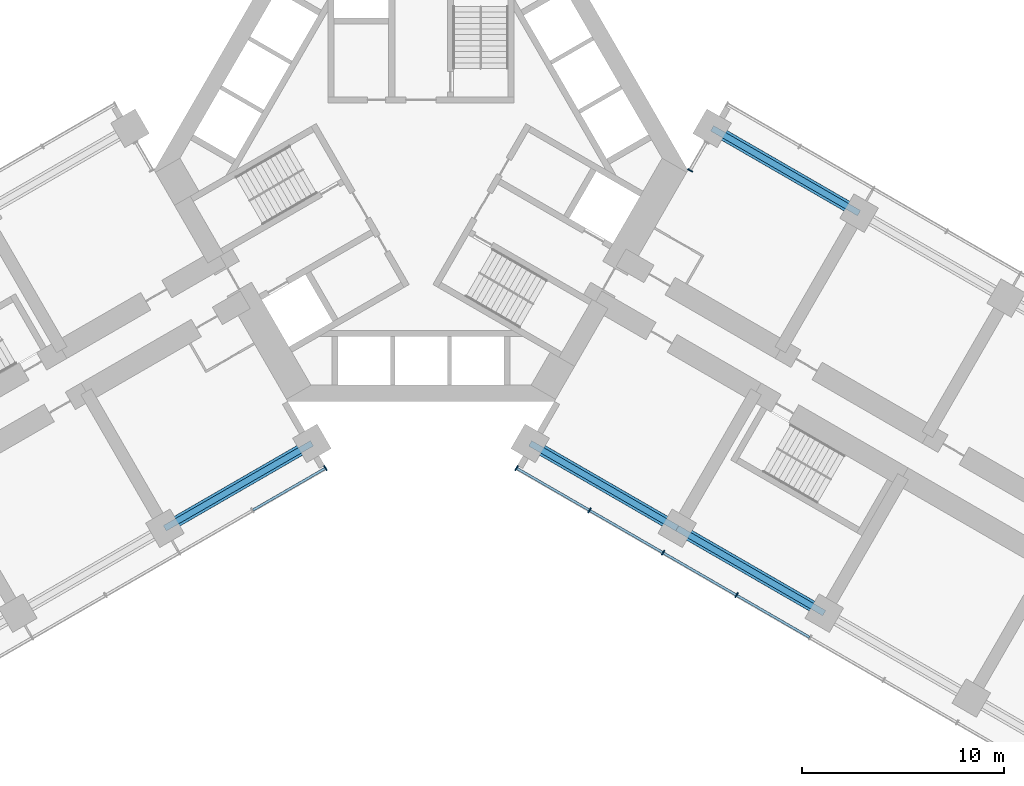
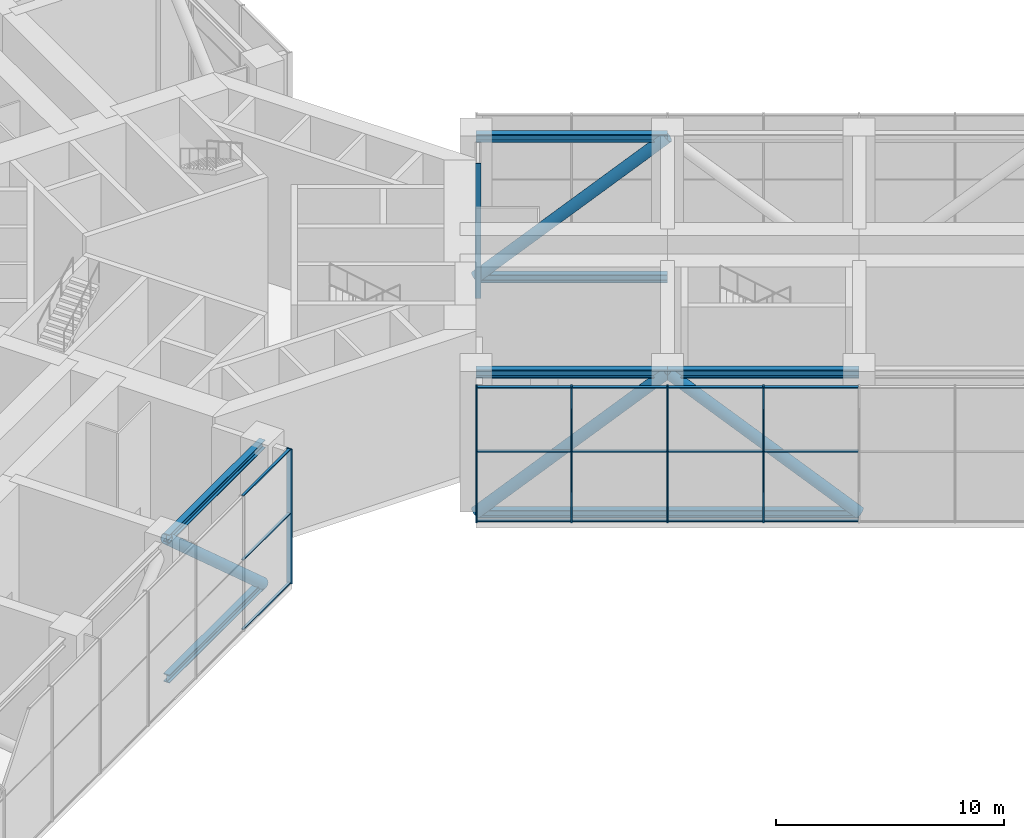
# One storey, part 4 of 19: 33 members, 3 elements without a shape of their own.
"""IFC4 building model written with IfcOpenShell, lengths in metres."""

import ifcopenshell
import ifcopenshell.guid

model = None  # the IFC model being written
_history = None  # IfcOwnerHistory: only IFC2X3 demands one
_inside = {}  # id of a spatial element -> (the spatial element, [elements in it])
_under = {}  # id of a project, library or spatial element -> (it, [spatial elements below it])
_declared = {}  # id of a project -> (the project, [libraries it declares])
_typed = {}  # id of a type object -> (the type object, [elements of that type])
_made_of = {}  # id of a material, layer set ... -> (it, [elements and type objects made of it])


def new_model(schema):
    """Start an empty IFC model of exactly this schema.

    Asked for "IFC4X3", IfcOpenShell would pick the latest addendum, in which some entities
    have other attributes; the version numbers below select the first issue.
    IFC2X3 requires an IfcOwnerHistory on every rooted entity: one is made here for all.
    """
    global model, _history
    if schema == "IFC4X3":
        model = ifcopenshell.file(schema_version=(4, 3, 0, 0))
    else:
        model = ifcopenshell.file(schema=schema)
    _inside.clear()
    _under.clear()
    _declared.clear()
    _typed.clear()
    _made_of.clear()
    _history = None
    if model.schema == "IFC2X3":
        org = make("IfcOrganization", Name="unknown")
        user = make(
            "IfcPersonAndOrganization",
            ThePerson=make("IfcPerson", FamilyName="unknown"),
            TheOrganization=org,
        )
        app = make(
            "IfcApplication",
            ApplicationDeveloper=org,
            Version="unknown",
            ApplicationFullName="unknown",
            ApplicationIdentifier="unknown",
        )
        _history = make(
            "IfcOwnerHistory",
            OwningUser=user,
            OwningApplication=app,
            ChangeAction="ADDED",
            CreationDate=0,
        )
    return model


def make(cls, **values):
    """One entity of the class cls with the attributes given. An attribute that is None is left unset."""
    return model.create_entity(
        cls, **{name: value for name, value in values.items() if value is not None}
    )


def rooted(cls, **values):
    """An entity with a GlobalId (a new one), such as an element, a storey or a relation."""
    return make(cls, GlobalId=ifcopenshell.guid.new(), OwnerHistory=_history, **values)


def si_unit(unit_type, name, prefix=None):
    """IfcSIUnit, for example si_unit("LENGTHUNIT", "METRE", prefix="MILLI")."""
    return make("IfcSIUnit", UnitType=unit_type, Prefix=prefix, Name=name)


def assignment(units):
    """IfcUnitAssignment: the units of a project."""
    return None if units is None else make("IfcUnitAssignment", Units=units)


def point(xyz):
    """IfcCartesianPoint."""
    return None if xyz is None else make("IfcCartesianPoint", Coordinates=xyz)


def direction(xyz):
    """IfcDirection."""
    return None if xyz is None else make("IfcDirection", DirectionRatios=xyz)


def frame(location, z_axis=None, x_axis=None):
    """IfcAxis2Placement3D, a coordinate frame: its origin and axes. An axis left out is left unset."""
    return make(
        "IfcAxis2Placement3D",
        Location=point(location),
        Axis=direction(z_axis),
        RefDirection=direction(x_axis),
    )


def frame_2d(location, x_axis=None):
    """IfcAxis2Placement2D, a coordinate frame in the plane: its origin and x axis."""
    return make(
        "IfcAxis2Placement2D", Location=point(location), RefDirection=direction(x_axis)
    )


def origin():
    """The frame at (0, 0, 0) with its axes left unset."""
    return frame((0.0, 0.0, 0.0))


def origin_2d():
    """The frame at (0, 0) in the plane with its x axis left unset."""
    return frame_2d((0.0, 0.0))


def place(relative_to, where):
    """IfcLocalPlacement: puts the frame where relative to a parent placement (None: the world)."""
    return make(
        "IfcLocalPlacement", PlacementRelTo=relative_to, RelativePlacement=where
    )


def context(
    kind, dimensions, precision=None, world=None, true_north=None, identifier=None
):
    """IfcGeometricRepresentationContext, for example the 3D "Model" context."""
    return make(
        "IfcGeometricRepresentationContext",
        ContextIdentifier=identifier,
        ContextType=kind,
        CoordinateSpaceDimension=dimensions,
        Precision=precision,
        WorldCoordinateSystem=world,
        TrueNorth=true_north,
    )


def subcontext(parent, identifier, kind, view, scale=None):
    """IfcGeometricRepresentationSubContext, for example "Body" below "Model"."""
    return make(
        "IfcGeometricRepresentationSubContext",
        ContextIdentifier=identifier,
        ContextType=kind,
        ParentContext=parent,
        TargetScale=scale,
        TargetView=view,
    )


def project(units=None, contexts=None):
    """IfcProject with its units and contexts."""
    return rooted(
        "IfcProject",
        Name="project",
        RepresentationContexts=contexts,
        UnitsInContext=assignment(units),
    )


def spatial(cls, under=None, at=None, **own):
    """A site, building, storey or space (cls), placed at a placement, below another one or the project."""
    s = rooted(cls, ObjectPlacement=at, **own)
    if under is not None:
        _under.setdefault(under.id(), (under, []))[1].append(s)
    return s


def profile(cls, at=None, kind="AREA", **sizes):
    """A parametric profile (cls). Its sizes go by their IFC names, for example OverallWidth=200.0."""
    return make(cls, ProfileType=kind, Position=at, **sizes)


def rectangle(**sizes):
    """IfcRectangleProfileDef."""
    return profile("IfcRectangleProfileDef", **sizes)


def hollow_circle(**sizes):
    """IfcCircleHollowProfileDef."""
    return profile("IfcCircleHollowProfileDef", **sizes)


def i_section(**sizes):
    """IfcIShapeProfileDef."""
    return profile("IfcIShapeProfileDef", **sizes)


def extrude(swept, where, along, depth):
    """IfcExtrudedAreaSolid: the profile swept, set in the frame where, extruded along a direction by depth."""
    return make(
        "IfcExtrudedAreaSolid",
        SweptArea=swept,
        Position=where,
        ExtrudedDirection=direction(along),
        Depth=depth,
    )


def shape(context_of_items, identifier, shape_type, items):
    """IfcShapeRepresentation: the items that make up one representation, for example the "Body"."""
    return make(
        "IfcShapeRepresentation",
        ContextOfItems=context_of_items,
        RepresentationIdentifier=identifier,
        RepresentationType=shape_type,
        Items=items,
    )


def material(Name=None, Category=None):
    """IfcMaterial."""
    return make("IfcMaterial", Name=Name, Category=Category)


def material_profile(
    of_material, cross_section, Name=None, Category=None, Priority=None
):
    """IfcMaterialProfile: a cross section and its material."""
    return make(
        "IfcMaterialProfile",
        Name=Name,
        Material=of_material,
        Profile=cross_section,
        Priority=Priority,
        Category=Category,
    )


def profile_set(profiles, Name=None, composite=None):
    """IfcMaterialProfileSet."""
    return make(
        "IfcMaterialProfileSet",
        Name=Name,
        MaterialProfiles=profiles,
        CompositeProfile=composite,
    )


def made_of(thing, what):
    """Note that an element or type object is made of a material, layer set ...; save() writes the relation."""
    if what is not None:
        _made_of.setdefault(what.id(), (what, []))[1].append(thing)
    return thing


def type_object(cls, material=None, **own):
    """A type object (cls), such as IfcWallType, which elements share."""
    return made_of(rooted(cls, **own), material)


def element(
    cls,
    number,
    at=None,
    inside=None,
    cuts=None,
    type_object=None,
    material=None,
    context=None,
    identifier="Body",
    shape_type=None,
    held_by="IfcProductDefinitionShape",
    body=None,
    shapes=None,
    **own,
):
    """One element of the class cls, such as IfcWall. Its Tag is "e" and its number.

    at: its placement. inside: the storey or other place that contains it. cuts: it is an
    opening in that element (IfcRelVoidsElement). A single representation is given by context,
    identifier, shape_type and body (its items); several are given by shapes. held_by: the class
    of the entity that holds the representations. save() writes the other relations.
    """
    e = rooted(cls, Tag="e%d" % number, ObjectPlacement=at, **own)
    if body is not None:
        shapes = [shape(context, identifier, shape_type, body)]
    if shapes is not None:
        e.Representation = make(held_by, Representations=shapes)
    if inside is not None:
        _inside.setdefault(inside.id(), (inside, []))[1].append(e)
    if cuts is not None:
        rooted(
            "IfcRelVoidsElement", RelatingBuildingElement=cuts, RelatedOpeningElement=e
        )
    if type_object is not None:
        _typed.setdefault(type_object.id(), (type_object, []))[1].append(e)
    return made_of(e, material)


def aggregate(whole, parts):
    """IfcRelAggregates: a whole, such as a stair, and the parts it consists of."""
    return rooted("IfcRelAggregates", RelatingObject=whole, RelatedObjects=parts)


def save(model, path):
    """Write the relations noted so far, then the file.

    IfcRelAggregates (storeys below a building ...), IfcRelContainedInSpatialStructure (elements
    in a storey), IfcRelDefinesByType, IfcRelAssociatesMaterial and IfcRelDeclares: one each for
    every whole, place, type object, material and project.
    """
    for whole, parts in _under.values():
        aggregate(whole, parts)
    for where, things in _inside.values():
        rooted(
            "IfcRelContainedInSpatialStructure",
            RelatedElements=things,
            RelatingStructure=where,
        )
    for kind, things in _typed.values():
        rooted("IfcRelDefinesByType", RelatedObjects=things, RelatingType=kind)
    for what, things in _made_of.values():
        rooted("IfcRelAssociatesMaterial", RelatedObjects=things, RelatingMaterial=what)
    for by, libraries in _declared.values():
        rooted("IfcRelDeclares", RelatingContext=by, RelatedDefinitions=libraries)
    model.write(path)


model = new_model("IFC4")

# Units and contexts
model_context = context("Model", 3, precision=1e-05, world=origin(), true_north=direction((0.0, 1.0)))
body_context = subcontext(model_context, "Body", "Model", "MODEL_VIEW")
ifc_project = project(units=[si_unit("LENGTHUNIT", "METRE"), si_unit("AREAUNIT", "SQUARE_METRE"), si_unit("VOLUMEUNIT", "CUBIC_METRE"), si_unit("PLANEANGLEUNIT", "RADIAN"), si_unit("MASSUNIT", "GRAM", prefix="KILO")], contexts=[model_context])

# Site, building, storey
site_placement = place(None, origin())
site = spatial("IfcSite", under=ifc_project, at=site_placement, CompositionType="ELEMENT")
building_placement = place(site_placement, origin())
building = spatial("IfcBuilding", under=site, at=building_placement, Name="Impinga Residences", CompositionType="ELEMENT")
storey_placement = place(building_placement, frame((0.0, 0.0, 93.5)))
storey = spatial("IfcBuildingStorey", under=building, at=storey_placement, Name="L23", CompositionType="ELEMENT", Elevation=93.5)

# Members
ifc_material_1 = material(Name="Steel S355", Category="steel")
ifc_material_profile_1 = material_profile(ifc_material_1, i_section(OverallWidth=0.306884765625, OverallDepth=0.431884765625, WebThickness=0.02099609375, FlangeThickness=0.0400390625, FilletRadius=0.027099609375, at=origin_2d()), Name="HE 400 M")
ifc_profile_set_1 = profile_set([ifc_material_profile_1], Name="Steel S355")
member_type_1 = type_object("IfcMemberType", Name="BT1 HE 400 M belt truss chord", PredefinedType="CHORD", material=ifc_profile_set_1)
for number, where, z_axis, x_axis, name in (
    (1, (-5.39990234375, -13.510009765625, -0.51611328125), (-0.86602925447, -0.499993330357, 0.0), (0.499993330357, -0.86602925447, 0.0), "Belt truss chord BT1 WA W1-W2 L23"),
    (2, (-5.39990234375, -13.510009765625, 6.98388671875), (-0.86602925447, -0.499993330357, 0.0), (0.499993330357, -0.86602925447, 0.0), "Belt truss chord BT1 WA W1-W2 L23"),
    (3, (14.39990234375, 2.078369140625, -0.51611328125), (0.86602925447, -0.499993330357, 0.0), (0.499993330357, 0.86602925447, 0.0), "Belt truss chord BT1 EA E1-E2 L23"),
    (4, (14.39990234375, 2.078369140625, 6.98388671875), (0.86602925447, -0.499993330357, 0.0), (0.499993330357, 0.86602925447, 0.0), "Belt truss chord BT1 EA E1-E2 L23"),
    (5, (5.39990234375, -13.510009765625, -0.51611328125), (0.86602925447, -0.499993330357, 0.0), (0.499993330357, 0.86602925447, 0.0), "Belt truss chord BT1 EF E1-E2 L23"),
    (6, (5.39990234375, -13.510009765625, 6.98388671875), (0.86602925447, -0.499993330357, 0.0), (0.499993330357, 0.86602925447, 0.0), "Belt truss chord BT1 EF E1-E2 L23"),
    (7, (12.674560546875, -17.7099609375, -0.51611328125), (0.86602925447, -0.499993330357, 0.0), (0.499993330357, 0.86602925447, 0.0), "Belt truss chord BT1 EF E2-E3 L23"),
    (8, (12.674560546875, -17.7099609375, 6.98388671875), (0.86602925447, -0.499993330357, 0.0), (0.499993330357, 0.86602925447, 0.0), "Belt truss chord BT1 EF E2-E3 L23"),
):
    element("IfcMember", number, at=place(storey_placement, frame(where, z_axis=z_axis, x_axis=x_axis)), inside=storey, type_object=member_type_1, Name=name, PredefinedType="CHORD", context=body_context, shape_type="SweptSolid", body=[
        extrude(i_section(OverallWidth=0.306884765625, OverallDepth=0.431884765625, WebThickness=0.02099609375, FlangeThickness=0.0400390625, FilletRadius=0.027099609375, at=origin_2d()), origin(), (0.0, 0.0, 1.0), 8.39990234375),
    ])
ifc_material_2 = material(Name="Steel S355J2H", Category="steel")
ifc_material_profile_2 = material_profile(ifc_material_2, hollow_circle(Radius=0.279541015625, WallThickness=0.02001953125, at=origin_2d()), Name="CHS 559x20")
ifc_profile_set_2 = profile_set([ifc_material_profile_2], Name="Steel S355J2H")
member_type_2 = type_object("IfcMemberType", Name="BT2 CHS 559x20 belt truss diagonal at L23", PredefinedType="BRACE", material=ifc_profile_set_2)
for number, where, z_axis, x_axis, name in (
    (9, (-5.39990234375, -13.510009765625, -0.51611328125), (-0.646004328005, -0.372964139164, 0.666015134285), (0.499993330357, -0.86602925447, 0.0), "Belt truss diagonal BT2 WA W1-W2 L23"),
    (10, (14.39990234375, 2.078369140625, -0.51611328125), (0.646004328005, -0.372964139164, 0.666015134285), (0.499993330357, 0.86602925447, 0.0), "Belt truss diagonal BT2 EA E1-E2 L23"),
    (11, (5.39990234375, -13.510009765625, -0.51611328125), (0.646004328005, -0.372964139164, 0.666015134285), (0.499993330357, 0.86602925447, 0.0), "Belt truss diagonal BT2 EF E1-E2 L23"),
    (12, (12.674560546875, -17.7099609375, 6.98388671875), (0.646004328005, -0.372964139164, -0.666015134285), (0.499993330357, 0.86602925447, 0.0), "Belt truss diagonal BT2 EF E2-E3 L23"),
):
    element("IfcMember", number, at=place(storey_placement, frame(where, z_axis=z_axis, x_axis=x_axis)), inside=storey, type_object=member_type_2, Name=name, PredefinedType="BRACE", context=body_context, shape_type="SweptSolid", body=[
        extrude(hollow_circle(Radius=0.279541015625, WallThickness=0.02001953125, at=origin_2d()), origin(), (0.0, 0.0, 1.0), 11.260986328125),
    ])

# Curtain wall, member
ifc_material_3 = material(Name="Aluminium stick curtain wall", Category="aluminium")
curtain_wall_type = type_object("IfcCurtainWallType", Name="CW4 plant floor louvred curtain wall", PredefinedType="USERDEFINED", material=ifc_material_3)
curtain_wall_1_placement = place(storey_placement, origin())
curtain_wall_1 = element("IfcCurtainWall", 13, at=curtain_wall_1_placement, inside=storey, type_object=curtain_wall_type, Name="Curtain wall CW4 L23", ObjectType="STICK CURTAIN WALL", PredefinedType="USERDEFINED")
ifc_material_4 = material(Name="Aluminium mullion", Category="aluminium")
ifc_material_profile_3 = material_profile(ifc_material_4, rectangle(XDim=0.06005859375, YDim=0.27490234375, at=origin_2d()), Name="60x275 mullion")
ifc_profile_set_3 = profile_set([ifc_material_profile_3], Name="Aluminium mullion")
member_type_3 = type_object("IfcMemberType", Name="CW4-M mullion 60x275", PredefinedType="MULLION", material=ifc_profile_set_3)
member_1_placement = place(storey_placement, frame((13.314208984375, -0.002197265625, 0.0), z_axis=(0.0, 0.0, 1.0), x_axis=(0.500000069952, 0.866025363398, 0.0)))
member_1 = element("IfcMember", 14, at=member_1_placement, type_object=member_type_3, Name="CW4 mullion 1", PredefinedType="MULLION", context=body_context, shape_type="SweptSolid", body=[
    extrude(rectangle(XDim=0.06005859375, YDim=0.27490234375, at=origin_2d()), origin(), (0.0, 0.0, 1.0), 7.199951171875),
])
aggregate(curtain_wall_1, [member_1])

# Curtain wall, members
curtain_wall_2_placement = place(storey_placement, origin())
curtain_wall_2 = element("IfcCurtainWall", 15, at=curtain_wall_2_placement, inside=storey, type_object=curtain_wall_type, Name="Curtain wall CW4 L23", ObjectType="STICK CURTAIN WALL", PredefinedType="USERDEFINED")
member_2_placement = place(storey_placement, frame((15.61181640625, -21.0224609375, 0.0), z_axis=(0.0, 0.0, 1.0), x_axis=(-0.866025407005, 0.499999994423, 0.0)))
member_2 = element("IfcMember", 16, at=member_2_placement, type_object=member_type_3, Name="CW4 mullion 6", PredefinedType="MULLION", context=body_context, shape_type="SweptSolid", body=[
    extrude(rectangle(XDim=0.06005859375, YDim=0.27490234375, at=origin_2d()), origin(), (0.0, 0.0, 1.0), 7.199951171875),
])
member_3_placement = place(storey_placement, frame((11.974609375, -18.92236328125, 0.0), z_axis=(0.0, 0.0, 1.0), x_axis=(-0.866025407005, 0.499999994423, 0.0)))
member_3 = element("IfcMember", 17, at=member_3_placement, type_object=member_type_3, Name="CW4 mullion 7", PredefinedType="MULLION", context=body_context, shape_type="SweptSolid", body=[
    extrude(rectangle(XDim=0.06005859375, YDim=0.27490234375, at=origin_2d()), origin(), (0.0, 0.0, 1.0), 7.199951171875),
])
member_4_placement = place(storey_placement, frame((8.33740234375, -16.822509765625, 0.0), z_axis=(0.0, 0.0, 1.0), x_axis=(-0.866025407005, 0.499999994423, 0.0)))
member_4 = element("IfcMember", 18, at=member_4_placement, type_object=member_type_3, Name="CW4 mullion 8", PredefinedType="MULLION", context=body_context, shape_type="SweptSolid", body=[
    extrude(rectangle(XDim=0.06005859375, YDim=0.27490234375, at=origin_2d()), origin(), (0.0, 0.0, 1.0), 7.199951171875),
])
member_5_placement = place(storey_placement, frame((4.72607421875, -14.737548828125, 0.0), z_axis=(0.0, 0.0, 1.0), x_axis=(-0.866025407005, 0.499999994423, 0.0)))
member_5 = element("IfcMember", 19, at=member_5_placement, type_object=member_type_3, Name="CW4 mullion 9", PredefinedType="MULLION", context=body_context, shape_type="SweptSolid", body=[
    extrude(rectangle(XDim=0.06005859375, YDim=0.27490234375, at=origin_2d()), origin(), (0.0, 0.0, 1.0), 7.199951171875),
])

# Curtain wall, member
curtain_wall_3_placement = place(storey_placement, origin())
curtain_wall_3 = element("IfcCurtainWall", 20, at=curtain_wall_3_placement, inside=storey, type_object=curtain_wall_type, Name="Curtain wall CW4 L23", ObjectType="STICK CURTAIN WALL", PredefinedType="USERDEFINED")
member_6_placement = place(storey_placement, frame((-4.72607421875, -14.737548828125, 0.0), z_axis=(0.0, 0.0, 1.0), x_axis=(-0.866025407005, -0.499999994423, 0.0)))
member_6 = element("IfcMember", 21, at=member_6_placement, type_object=member_type_3, Name="CW4 mullion 1", PredefinedType="MULLION", context=body_context, shape_type="SweptSolid", body=[
    extrude(rectangle(XDim=0.06005859375, YDim=0.27490234375, at=origin_2d()), origin(), (0.0, 0.0, 1.0), 7.199951171875),
])

# Member
ifc_material_5 = material(Name="Aluminium transom", Category="aluminium")
ifc_material_profile_4 = material_profile(ifc_material_5, rectangle(XDim=0.06005859375, YDim=0.1201171875, at=origin_2d()), Name="60x120 transom")
ifc_profile_set_4 = profile_set([ifc_material_profile_4], Name="Aluminium transom")
member_type_4 = type_object("IfcMemberType", Name="CW4-T transom 60x120", PredefinedType="USERDEFINED", material=ifc_profile_set_4)
member_7_placement = place(storey_placement, frame((19.22314453125, -23.107421875, 0.030029296875), z_axis=(-0.866009793405, 0.500027036996, 0.0), x_axis=(0.0, 0.0, 1.0)))
member_7 = element("IfcMember", 22, at=member_7_placement, type_object=member_type_4, Name="CW4 transom 5.1", ObjectType="TRANSOM", PredefinedType="USERDEFINED", context=body_context, shape_type="SweptSolid", body=[
    extrude(rectangle(XDim=0.06005859375, YDim=0.1201171875, at=origin_2d()), origin(), (0.0, 0.0, 1.0), 4.139892578125),
])

member_8_placement = place(storey_placement, frame((19.22314453125, -23.107421875, 3.75), z_axis=(-0.866009793405, 0.500027036996, 0.0), x_axis=(0.0, 0.0, 1.0)))
member_8 = element("IfcMember", 23, at=member_8_placement, type_object=member_type_4, Name="CW4 transom 5.2", ObjectType="TRANSOM", PredefinedType="USERDEFINED", context=body_context, shape_type="SweptSolid", body=[
    extrude(rectangle(XDim=0.06005859375, YDim=0.1201171875, at=origin_2d()), origin(), (0.0, 0.0, 1.0), 4.139892578125),
])

member_9_placement = place(storey_placement, frame((19.22314453125, -23.107421875, 7.169921875), z_axis=(-0.866009793405, 0.500027036996, 0.0), x_axis=(0.0, 0.0, 1.0)))
member_9 = element("IfcMember", 24, at=member_9_placement, type_object=member_type_4, Name="CW4 transom 5.3", ObjectType="TRANSOM", PredefinedType="USERDEFINED", context=body_context, shape_type="SweptSolid", body=[
    extrude(rectangle(XDim=0.06005859375, YDim=0.1201171875, at=origin_2d()), origin(), (0.0, 0.0, 1.0), 4.139892578125),
])

member_10_placement = place(storey_placement, frame((15.5859375, -21.00732421875, 0.030029296875), z_axis=(-0.866050071143, 0.499957272447, 0.0), x_axis=(0.0, 0.0, 1.0)))
member_10 = element("IfcMember", 25, at=member_10_placement, type_object=member_type_4, Name="CW4 transom 6.1", ObjectType="TRANSOM", PredefinedType="USERDEFINED", context=body_context, shape_type="SweptSolid", body=[
    extrude(rectangle(XDim=0.06005859375, YDim=0.1201171875, at=origin_2d()), origin(), (0.0, 0.0, 1.0), 4.139892578125),
])

member_11_placement = place(storey_placement, frame((15.5859375, -21.00732421875, 3.75), z_axis=(-0.866050071143, 0.499957272447, 0.0), x_axis=(0.0, 0.0, 1.0)))
member_11 = element("IfcMember", 26, at=member_11_placement, type_object=member_type_4, Name="CW4 transom 6.2", ObjectType="TRANSOM", PredefinedType="USERDEFINED", context=body_context, shape_type="SweptSolid", body=[
    extrude(rectangle(XDim=0.06005859375, YDim=0.1201171875, at=origin_2d()), origin(), (0.0, 0.0, 1.0), 4.139892578125),
])

member_12_placement = place(storey_placement, frame((15.5859375, -21.00732421875, 7.169921875), z_axis=(-0.866050071143, 0.499957272447, 0.0), x_axis=(0.0, 0.0, 1.0)))
member_12 = element("IfcMember", 27, at=member_12_placement, type_object=member_type_4, Name="CW4 transom 6.3", ObjectType="TRANSOM", PredefinedType="USERDEFINED", context=body_context, shape_type="SweptSolid", body=[
    extrude(rectangle(XDim=0.06005859375, YDim=0.1201171875, at=origin_2d()), origin(), (0.0, 0.0, 1.0), 4.139892578125),
])

member_13_placement = place(storey_placement, frame((11.94873046875, -18.907470703125, 0.030029296875), z_axis=(-0.866024536972, 0.500001501361, 0.0), x_axis=(0.0, 0.0, 1.0)))
member_13 = element("IfcMember", 28, at=member_13_placement, type_object=member_type_4, Name="CW4 transom 7.1", ObjectType="TRANSOM", PredefinedType="USERDEFINED", context=body_context, shape_type="SweptSolid", body=[
    extrude(rectangle(XDim=0.06005859375, YDim=0.1201171875, at=origin_2d()), origin(), (0.0, 0.0, 1.0), 4.14013671875),
])

member_14_placement = place(storey_placement, frame((11.94873046875, -18.907470703125, 3.75), z_axis=(-0.866024536972, 0.500001501361, 0.0), x_axis=(0.0, 0.0, 1.0)))
member_14 = element("IfcMember", 29, at=member_14_placement, type_object=member_type_4, Name="CW4 transom 7.2", ObjectType="TRANSOM", PredefinedType="USERDEFINED", context=body_context, shape_type="SweptSolid", body=[
    extrude(rectangle(XDim=0.06005859375, YDim=0.1201171875, at=origin_2d()), origin(), (0.0, 0.0, 1.0), 4.14013671875),
])

member_15_placement = place(storey_placement, frame((11.94873046875, -18.907470703125, 7.169921875), z_axis=(-0.866024536972, 0.500001501361, 0.0), x_axis=(0.0, 0.0, 1.0)))
member_15 = element("IfcMember", 30, at=member_15_placement, type_object=member_type_4, Name="CW4 transom 7.3", ObjectType="TRANSOM", PredefinedType="USERDEFINED", context=body_context, shape_type="SweptSolid", body=[
    extrude(rectangle(XDim=0.06005859375, YDim=0.1201171875, at=origin_2d()), origin(), (0.0, 0.0, 1.0), 4.14013671875),
])

member_16_placement = place(storey_placement, frame((8.311279296875, -16.807373046875, 0.030029296875), z_axis=(-0.866030279993, 0.499991554064, 0.0), x_axis=(0.0, 0.0, 1.0)))
member_16 = element("IfcMember", 31, at=member_16_placement, type_object=member_type_4, Name="CW4 transom 8.1", ObjectType="TRANSOM", PredefinedType="USERDEFINED", context=body_context, shape_type="SweptSolid", body=[
    extrude(rectangle(XDim=0.06005859375, YDim=0.1201171875, at=origin_2d()), origin(), (0.0, 0.0, 1.0), 4.10986328125),
])

member_17_placement = place(storey_placement, frame((8.311279296875, -16.807373046875, 3.75), z_axis=(-0.866030279993, 0.499991554064, 0.0), x_axis=(0.0, 0.0, 1.0)))
member_17 = element("IfcMember", 32, at=member_17_placement, type_object=member_type_4, Name="CW4 transom 8.2", ObjectType="TRANSOM", PredefinedType="USERDEFINED", context=body_context, shape_type="SweptSolid", body=[
    extrude(rectangle(XDim=0.06005859375, YDim=0.1201171875, at=origin_2d()), origin(), (0.0, 0.0, 1.0), 4.10986328125),
])

member_18_placement = place(storey_placement, frame((8.311279296875, -16.807373046875, 7.169921875), z_axis=(-0.866030279993, 0.499991554064, 0.0), x_axis=(0.0, 0.0, 1.0)))
member_18 = element("IfcMember", 33, at=member_18_placement, type_object=member_type_4, Name="CW4 transom 8.3", ObjectType="TRANSOM", PredefinedType="USERDEFINED", context=body_context, shape_type="SweptSolid", body=[
    extrude(rectangle(XDim=0.06005859375, YDim=0.1201171875, at=origin_2d()), origin(), (0.0, 0.0, 1.0), 4.10986328125),
])

aggregate(curtain_wall_2, [member_2, member_3, member_4, member_5, member_7, member_8, member_9, member_10, member_11, member_12, member_13, member_14, member_15, member_16, member_17, member_18])

member_19_placement = place(storey_placement, frame((-4.751953125, -14.75244140625, 0.030029296875), z_axis=(-0.866030279993, -0.499991554064, 0.0), x_axis=(0.0, 0.0, 1.0)))
member_19 = element("IfcMember", 34, at=member_19_placement, type_object=member_type_4, Name="CW4 transom 1.1", ObjectType="TRANSOM", PredefinedType="USERDEFINED", context=body_context, shape_type="SweptSolid", body=[
    extrude(rectangle(XDim=0.06005859375, YDim=0.1201171875, at=origin_2d()), origin(), (0.0, 0.0, 1.0), 4.10986328125),
])

member_20_placement = place(storey_placement, frame((-4.751953125, -14.75244140625, 3.75), z_axis=(-0.866030279993, -0.499991554064, 0.0), x_axis=(0.0, 0.0, 1.0)))
member_20 = element("IfcMember", 35, at=member_20_placement, type_object=member_type_4, Name="CW4 transom 1.2", ObjectType="TRANSOM", PredefinedType="USERDEFINED", context=body_context, shape_type="SweptSolid", body=[
    extrude(rectangle(XDim=0.06005859375, YDim=0.1201171875, at=origin_2d()), origin(), (0.0, 0.0, 1.0), 4.10986328125),
])

member_21_placement = place(storey_placement, frame((-4.751953125, -14.75244140625, 7.169921875), z_axis=(-0.866030279993, -0.499991554064, 0.0), x_axis=(0.0, 0.0, 1.0)))
member_21 = element("IfcMember", 36, at=member_21_placement, type_object=member_type_4, Name="CW4 transom 1.3", ObjectType="TRANSOM", PredefinedType="USERDEFINED", context=body_context, shape_type="SweptSolid", body=[
    extrude(rectangle(XDim=0.06005859375, YDim=0.1201171875, at=origin_2d()), origin(), (0.0, 0.0, 1.0), 4.10986328125),
])

aggregate(curtain_wall_3, [member_6, member_19, member_20, member_21])

save(model, "model.ifc")
